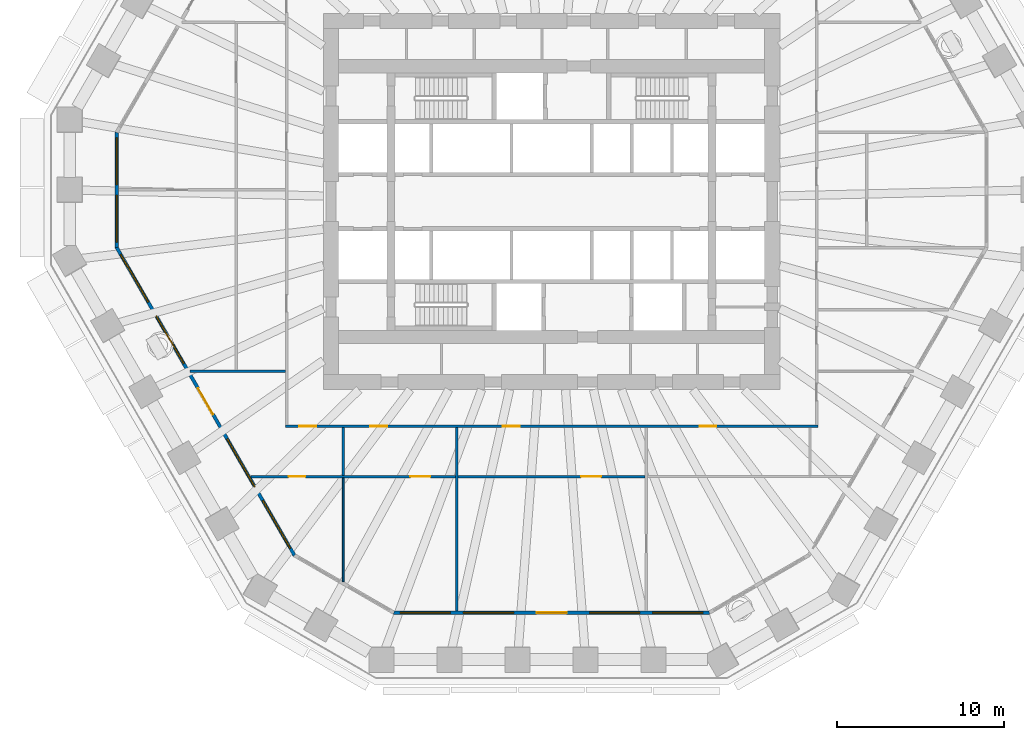
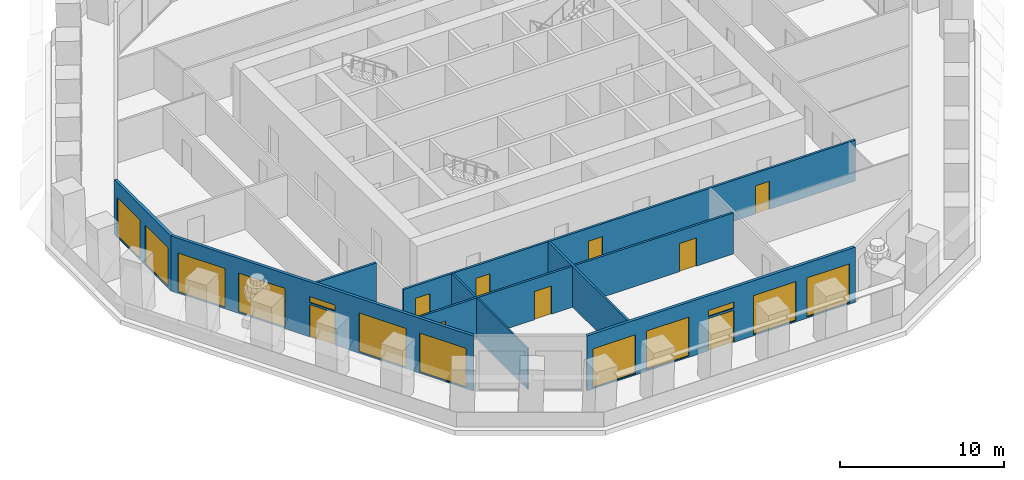
# One storey, part 3 of 13: 12 windows, 9 doors, 9 walls, 21 openings.
"""IFC4 building model written with IfcOpenShell, lengths in metres."""

from ifc_helpers import new_model, si_unit, direction, frame, frame_2d, origin, place, context, subcontext, project, spatial, polyline, rectangle, outline, extrude, material, layer, layer_set, type_object, element, fill, save


model = new_model("IFC4")

# Units and contexts
model_context = context("Model", 3, precision=1e-05, world=origin(), true_north=direction((0.0, 1.0)))
body_context = subcontext(model_context, "Body", "Model", "MODEL_VIEW")
ifc_project = project(units=[si_unit("LENGTHUNIT", "METRE"), si_unit("AREAUNIT", "SQUARE_METRE"), si_unit("VOLUMEUNIT", "CUBIC_METRE"), si_unit("PLANEANGLEUNIT", "RADIAN"), si_unit("MASSUNIT", "GRAM", prefix="KILO")], contexts=[model_context])

# Site, building, storey
site_placement = place(None, origin())
site = spatial("IfcSite", under=ifc_project, at=site_placement, CompositionType="ELEMENT")
building_placement = place(site_placement, origin())
building = spatial("IfcBuilding", under=site, at=building_placement, Name="Frailejon Research Tower", CompositionType="ELEMENT")
storey_placement = place(building_placement, frame((0.0, 0.0, 36.60009765625)))
storey = spatial("IfcBuildingStorey", under=building, at=storey_placement, Name="L08", CompositionType="ELEMENT", Elevation=36.60009765625)

# Wall, openings, doors
ifc_material_1 = material(Name="Gypsum board and masonry partition", Category="masonry")
ifc_layer_1 = layer(ifc_material_1, 0.14990234375)
ifc_layer_set_1 = layer_set([ifc_layer_1], Name="Corridor wall EI 60, gypsum on steel studs 150")
wall_type_1 = type_object("IfcWallType", Name="Corridor wall EI 60, gypsum on steel studs 150", PredefinedType="PARTITIONING", material=ifc_layer_set_1)
wall_1_placement = place(storey_placement, frame((-15.925048828125, -13.449951171875, 0.0), z_axis=(0.0, 0.0, 1.0), x_axis=(1.0, 0.0, 0.0)))
wall_1 = element("IfcWall", 1, at=wall_1_placement, inside=storey, type_object=wall_type_1, Name="T:IW:L08:004", PredefinedType="PARTITIONING", context=body_context, shape_type="SweptSolid", body=[
    extrude(rectangle(XDim=31.85009765625, YDim=0.14990234375, at=frame_2d((15.925048828125, 0.0))), origin(), (0.0, 0.0, 1.0), 3.0498046875),
])
opening_1_placement = place(wall_1_placement, frame((0.84814453125, 0.0, 0.0)))
opening_1 = element("IfcOpeningElement", 2, at=opening_1_placement, cuts=wall_1, Name="Opening D1361", PredefinedType="OPENING", context=body_context, shape_type="SweptSolid", body=[
    extrude(rectangle(XDim=1.0, YDim=2.10009765625, at=frame_2d((0.5, 1.050048828125))), frame((0.0, 0.0849609375, 0.0), z_axis=(0.0, -1.0, 0.0), x_axis=(1.0, 0.0, 0.0)), (0.0, 0.0, 1.0), 0.169921875),
])
opening_2_placement = place(wall_1_placement, frame((5.08837890625, 0.0, 0.0)))
opening_2 = element("IfcOpeningElement", 3, at=opening_2_placement, cuts=wall_1, Name="Opening D1363", PredefinedType="OPENING", context=body_context, shape_type="SweptSolid", body=[
    extrude(rectangle(XDim=1.0, YDim=2.10009765625, at=frame_2d((0.5, 1.050048828125))), frame((0.0, 0.0849609375, 0.0), z_axis=(0.0, -1.0, 0.0), x_axis=(1.0, 0.0, 0.0)), (0.0, 0.0, 1.0), 0.169921875),
])
opening_3_placement = place(wall_1_placement, frame((13.0126953125, 0.0, 0.0)))
opening_3 = element("IfcOpeningElement", 4, at=opening_3_placement, cuts=wall_1, Name="Opening D1365", PredefinedType="OPENING", context=body_context, shape_type="SweptSolid", body=[
    extrude(rectangle(XDim=1.0, YDim=2.10009765625, at=frame_2d((0.5, 1.050048828125))), frame((0.0, 0.0849609375, 0.0), z_axis=(0.0, -1.0, 0.0), x_axis=(1.0, 0.0, 0.0)), (0.0, 0.0, 1.0), 0.169921875),
])
opening_4_placement = place(wall_1_placement, frame((24.7783203125, 0.0, 0.0)))
opening_4 = element("IfcOpeningElement", 5, at=opening_4_placement, cuts=wall_1, Name="Opening D1368", PredefinedType="OPENING", context=body_context, shape_type="SweptSolid", body=[
    extrude(rectangle(XDim=1.0, YDim=2.10009765625, at=frame_2d((0.5, 1.050048828125))), frame((0.0, 0.0849609375, 0.0), z_axis=(0.0, -1.0, 0.0), x_axis=(1.0, 0.0, 0.0)), (0.0, 0.0, 1.0), 0.169921875),
])
ifc_material_2 = material(Name="Timber door leaf", Category="wood")
door_type_1 = type_object("IfcDoorType", Name="Door laboratory, timber, vision panel 1000", OperationType="NOTDEFINED", PredefinedType="DOOR", material=ifc_material_2)
door_1_placement = place(opening_1_placement, origin())
door_1 = element("IfcDoor", 6, at=door_1_placement, inside=storey, type_object=door_type_1, Name="D1361", OperationType="SINGLE_SWING_RIGHT", OverallHeight=2.10009765625, OverallWidth=1.0, PredefinedType="DOOR", context=body_context, shape_type="SweptSolid", body=[
    extrude(rectangle(XDim=1.0, YDim=2.10009765625, at=frame_2d((0.5, 1.050048828125))), frame((0.0, 0.02490234375, 0.0), z_axis=(0.0, -1.0, 0.0), x_axis=(1.0, 0.0, 0.0)), (0.0, 0.0, 1.0), 0.050048828125),
])
fill(opening_1, door_1)
door_2_placement = place(opening_2_placement, origin())
door_2 = element("IfcDoor", 7, at=door_2_placement, inside=storey, type_object=door_type_1, Name="D1363", OperationType="SINGLE_SWING_RIGHT", OverallHeight=2.10009765625, OverallWidth=1.0, PredefinedType="DOOR", context=body_context, shape_type="SweptSolid", body=[
    extrude(rectangle(XDim=1.0, YDim=2.10009765625, at=frame_2d((0.5, 1.050048828125))), frame((0.0, 0.02490234375, 0.0), z_axis=(0.0, -1.0, 0.0), x_axis=(1.0, 0.0, 0.0)), (0.0, 0.0, 1.0), 0.050048828125),
])
fill(opening_2, door_2)
door_3_placement = place(opening_3_placement, origin())
door_3 = element("IfcDoor", 8, at=door_3_placement, inside=storey, type_object=door_type_1, Name="D1365", OperationType="SINGLE_SWING_RIGHT", OverallHeight=2.10009765625, OverallWidth=1.0, PredefinedType="DOOR", context=body_context, shape_type="SweptSolid", body=[
    extrude(rectangle(XDim=1.0, YDim=2.10009765625, at=frame_2d((0.5, 1.050048828125))), frame((0.0, 0.02490234375, 0.0), z_axis=(0.0, -1.0, 0.0), x_axis=(1.0, 0.0, 0.0)), (0.0, 0.0, 1.0), 0.050048828125),
])
fill(opening_3, door_3)
ifc_material_3 = material(Name="Timber door leaf", Category="wood")
door_type_2 = type_object("IfcDoorType", Name="Door single leaf, timber, steel frame 1000", OperationType="NOTDEFINED", PredefinedType="DOOR", material=ifc_material_3)
door_4_placement = place(opening_4_placement, origin())
door_4 = element("IfcDoor", 9, at=door_4_placement, inside=storey, type_object=door_type_2, Name="D1368", OperationType="SINGLE_SWING_LEFT", OverallHeight=2.10009765625, OverallWidth=1.0, PredefinedType="DOOR", context=body_context, shape_type="SweptSolid", body=[
    extrude(rectangle(XDim=1.0, YDim=2.10009765625, at=frame_2d((0.5, 1.050048828125))), frame((0.0, 0.02490234375, 0.0), z_axis=(0.0, -1.0, 0.0), x_axis=(1.0, 0.0, 0.0)), (0.0, 0.0, 1.0), 0.050048828125),
])
fill(opening_4, door_4)

# Wall
ifc_material_4 = material(Name="Gypsum board and masonry partition", Category="masonry")
ifc_layer_2 = layer(ifc_material_4, 0.14990234375)
ifc_layer_set_2 = layer_set([ifc_layer_2], Name="Laboratory partition, blockwork 150")
wall_type_2 = type_object("IfcWallType", Name="Laboratory partition, blockwork 150", PredefinedType="PARTITIONING", material=ifc_layer_set_2)
wall_2_placement = place(storey_placement, frame((-21.619140625, -10.154541015625, 0.0), z_axis=(0.0, 0.0, 1.0), x_axis=(1.0, 0.0, 0.0)))
element("IfcWall", 10, at=wall_2_placement, inside=storey, type_object=wall_type_2, Name="T:IW:L08:018", PredefinedType="PARTITIONING", context=body_context, shape_type="SweptSolid", body=[
    extrude(rectangle(XDim=5.694091796875, YDim=0.14990234375, at=frame_2d((2.84716796875, 0.0))), origin(), (0.0, 0.0, 1.0), 3.0498046875),
])

# Wall, openings, doors
wall_3_placement = place(storey_placement, frame((-17.984619140625, -16.449951171875, 0.0), z_axis=(0.0, 0.0, 1.0), x_axis=(1.0, 0.0, 0.0)))
wall_3 = element("IfcWall", 11, at=wall_3_placement, inside=storey, type_object=wall_type_2, Name="T:IW:L08:019", PredefinedType="PARTITIONING", context=body_context, shape_type="SweptSolid", body=[
    extrude(rectangle(XDim=23.583984375, YDim=0.14990234375, at=frame_2d((11.7919921875, 0.0))), origin(), (0.0, 0.0, 1.0), 3.0498046875),
])
opening_5_placement = place(wall_3_placement, frame((2.263671875, 0.0, 0.0)))
opening_5 = element("IfcOpeningElement", 12, at=opening_5_placement, cuts=wall_3, Name="Opening D1362", PredefinedType="OPENING", context=body_context, shape_type="SweptSolid", body=[
    extrude(rectangle(XDim=1.0, YDim=2.10009765625, at=frame_2d((0.5, 1.050048828125))), frame((0.0, 0.0849609375, 0.0), z_axis=(0.0, -1.0, 0.0), x_axis=(1.0, 0.0, 0.0)), (0.0, 0.0, 1.0), 0.169921875),
])
opening_6_placement = place(wall_3_placement, frame((9.539306640625, 0.0, 0.0)))
opening_6 = element("IfcOpeningElement", 13, at=opening_6_placement, cuts=wall_3, Name="Opening D1364", PredefinedType="OPENING", context=body_context, shape_type="SweptSolid", body=[
    extrude(rectangle(XDim=1.199951171875, YDim=2.10009765625, at=frame_2d((0.60009765625, 1.050048828125))), frame((0.0, 0.0849609375, 0.0), z_axis=(0.0, -1.0, 0.0), x_axis=(1.0, 0.0, 0.0)), (0.0, 0.0, 1.0), 0.169921875),
])
opening_7_placement = place(wall_3_placement, frame((19.74658203125, 0.0, 0.0)))
opening_7 = element("IfcOpeningElement", 14, at=opening_7_placement, cuts=wall_3, Name="Opening D1366", PredefinedType="OPENING", context=body_context, shape_type="SweptSolid", body=[
    extrude(rectangle(XDim=1.199951171875, YDim=2.10009765625, at=frame_2d((0.60009765625, 1.050048828125))), frame((0.0, 0.0849609375, 0.0), z_axis=(0.0, -1.0, 0.0), x_axis=(1.0, 0.0, 0.0)), (0.0, 0.0, 1.0), 0.169921875),
])
ifc_material_5 = material(Name="Timber door leaf", Category="wood")
door_type_3 = type_object("IfcDoorType", Name="Door laboratory, timber, vision panel 1200", OperationType="NOTDEFINED", PredefinedType="DOOR", material=ifc_material_5)
door_5_placement = place(opening_7_placement, origin())
door_5 = element("IfcDoor", 15, at=door_5_placement, inside=storey, type_object=door_type_3, Name="D1366", OperationType="DOUBLE_DOOR_SINGLE_SWING", OverallHeight=2.10009765625, OverallWidth=1.199951171875, PredefinedType="DOOR", context=body_context, shape_type="SweptSolid", body=[
    extrude(rectangle(XDim=1.199951171875, YDim=2.10009765625, at=frame_2d((0.60009765625, 1.050048828125))), frame((0.0, 0.02490234375, 0.0), z_axis=(0.0, -1.0, 0.0), x_axis=(1.0, 0.0, 0.0)), (0.0, 0.0, 1.0), 0.050048828125),
])
fill(opening_7, door_5)
door_6_placement = place(opening_5_placement, origin())
door_6 = element("IfcDoor", 16, at=door_6_placement, inside=storey, type_object=door_type_2, Name="D1362", OperationType="SINGLE_SWING_LEFT", OverallHeight=2.10009765625, OverallWidth=1.0, PredefinedType="DOOR", context=body_context, shape_type="SweptSolid", body=[
    extrude(rectangle(XDim=1.0, YDim=2.10009765625, at=frame_2d((0.5, 1.050048828125))), frame((0.0, 0.02490234375, 0.0), z_axis=(0.0, -1.0, 0.0), x_axis=(1.0, 0.0, 0.0)), (0.0, 0.0, 1.0), 0.050048828125),
])
fill(opening_5, door_6)
ifc_material_6 = material(Name="Timber door leaf", Category="wood")
door_type_4 = type_object("IfcDoorType", Name="Door single leaf, timber, steel frame 1200", OperationType="NOTDEFINED", PredefinedType="DOOR", material=ifc_material_6)
door_7_placement = place(opening_6_placement, origin())
door_7 = element("IfcDoor", 17, at=door_7_placement, inside=storey, type_object=door_type_4, Name="D1364", OperationType="DOUBLE_DOOR_SINGLE_SWING", OverallHeight=2.10009765625, OverallWidth=1.199951171875, PredefinedType="DOOR", context=body_context, shape_type="SweptSolid", body=[
    extrude(rectangle(XDim=1.199951171875, YDim=2.10009765625, at=frame_2d((0.60009765625, 1.050048828125))), frame((0.0, 0.02490234375, 0.0), z_axis=(0.0, -1.0, 0.0), x_axis=(1.0, 0.0, 0.0)), (0.0, 0.0, 1.0), 0.050048828125),
])
fill(opening_6, door_7)

# Walls
wall_4_placement = place(storey_placement, frame((-12.457275390625, -16.375, 0.0), z_axis=(0.0, 0.0, 1.0), x_axis=(0.0, 1.0, 0.0)))
element("IfcWall", 18, at=wall_4_placement, inside=storey, type_object=wall_type_2, Name="T:IW:L08:020", PredefinedType="PARTITIONING", context=body_context, shape_type="SweptSolid", body=[
    extrude(rectangle(XDim=2.85009765625, YDim=0.14990234375, at=frame_2d((1.425048828125, 0.0))), origin(), (0.0, 0.0, 1.0), 3.0498046875),
])
wall_5_placement = place(storey_placement, frame((-5.67431640625, -24.491455078125, 0.0), z_axis=(0.0, 0.0, 1.0), x_axis=(0.0, 1.0, 0.0)))
element("IfcWall", 19, at=wall_5_placement, inside=storey, type_object=wall_type_2, Name="T:IW:L08:021", PredefinedType="PARTITIONING", context=body_context, shape_type="SweptSolid", body=[
    extrude(rectangle(XDim=10.966552734375, YDim=0.14990234375, at=frame_2d((5.4833984375, 0.0))), origin(), (0.0, 0.0, 1.0), 3.0498046875),
])
ifc_material_7 = material(Name="Gypsum board and masonry partition", Category="masonry")
ifc_layer_3 = layer(ifc_material_7, 0.10009765625)
ifc_layer_set_3 = layer_set([ifc_layer_3], Name="Partition, gypsum on steel studs 100")
wall_type_3 = type_object("IfcWallType", Name="Partition, gypsum on steel studs 100", PredefinedType="PARTITIONING", material=ifc_layer_set_3)
wall_6_placement = place(storey_placement, frame((-12.457275390625, -22.728515625, 0.0), z_axis=(0.0, 0.0, 1.0), x_axis=(0.0, 1.0, 0.0)))
element("IfcWall", 20, at=wall_6_placement, inside=storey, type_object=wall_type_3, Name="T:IW:L08:029", PredefinedType="PARTITIONING", context=body_context, shape_type="SweptSolid", body=[
    extrude(rectangle(XDim=6.20361328125, YDim=0.10009765625, at=frame_2d((3.101806640625, 0.0))), origin(), (0.0, 0.0, 1.0), 3.0498046875),
])

# Wall, openings, windows
ifc_material_8 = material(Name="Concrete C40/50 precast window wall panel", Category="concrete")
ifc_layer_4 = layer(ifc_material_8, 0.199951171875)
ifc_layer_set_4 = layer_set([ifc_layer_4], Name="Window wall 200")
wall_type_4 = type_object("IfcWallType", Name="Window wall 200", PredefinedType="SOLIDWALL", material=ifc_layer_set_4)
wall_7_placement = place(storey_placement, frame((-26.011962890625, 4.128662109375, 0.0), z_axis=(0.0, 0.0, 1.0), x_axis=(0.0, -1.0, 0.0)))
wall_7 = element("IfcWall", 21, at=wall_7_placement, inside=storey, type_object=wall_type_4, Name="Exterior wall L08", PredefinedType="SOLIDWALL", context=body_context, shape_type="SweptSolid", body=[
    extrude(outline(polyline([(-0.02685546875, -0.10009765625), (1.1279296875, -0.10009765625), (2.282470703125, -0.10009765625), (3.437255859375, -0.10009765625), (4.592041015625, -0.10009765625), (5.74658203125, -0.10009765625), (6.9013671875, -0.10009765625), (6.84765625, 0.10009765625), (5.7109375, 0.10009765625), (4.573974609375, 0.10009765625), (3.437255859375, 0.10009765625), (2.300537109375, 0.10009765625), (1.16357421875, 0.10009765625), (0.02685546875, 0.10009765625), (-0.02685546875, -0.10009765625)])), origin(), (0.0, 0.0, 1.0), 4.099853515625),
])
opening_8_placement = place(wall_7_placement, frame((0.318603515625, 0.0, 0.10009765625)))
opening_8 = element("IfcOpeningElement", 22, at=opening_8_placement, cuts=wall_7, Name="Opening W3", PredefinedType="OPENING", context=body_context, shape_type="SweptSolid", body=[
    extrude(rectangle(XDim=2.800048828125, YDim=2.89990234375, at=frame_2d((1.39990234375, 1.449951171875))), frame((0.0, 0.10986328125, 0.0), z_axis=(0.0, -1.0, 0.0), x_axis=(1.0, 0.0, 0.0)), (0.0, 0.0, 1.0), 0.219970703125),
])
opening_9_placement = place(wall_7_placement, frame((3.756103515625, 0.0, 0.10009765625)))
opening_9 = element("IfcOpeningElement", 23, at=opening_9_placement, cuts=wall_7, Name="Opening W3", PredefinedType="OPENING", context=body_context, shape_type="SweptSolid", body=[
    extrude(rectangle(XDim=2.800048828125, YDim=2.89990234375, at=frame_2d((1.39990234375, 1.449951171875))), frame((0.0, 0.10986328125, 0.0), z_axis=(0.0, -1.0, 0.0), x_axis=(1.0, 0.0, 0.0)), (0.0, 0.0, 1.0), 0.219970703125),
])
ifc_material_9 = material(Name="Aluminium framed double glazing", Category="aluminium")
window_type_1 = type_object("IfcWindowType", Name="Window 2800x2900", PartitioningType="SINGLE_PANEL", PredefinedType="WINDOW", material=ifc_material_9)
window_1_placement = place(opening_8_placement, origin())
window_1 = element("IfcWindow", 24, at=window_1_placement, inside=storey, type_object=window_type_1, Name="Window L08", OverallHeight=2.89990234375, OverallWidth=2.800048828125, PartitioningType="SINGLE_PANEL", PredefinedType="WINDOW", context=body_context, shape_type="SweptSolid", body=[
    extrude(rectangle(XDim=2.800048828125, YDim=2.89990234375, at=frame_2d((1.39990234375, 1.449951171875))), frame((0.0, 0.030029296875, 0.0), z_axis=(0.0, -1.0, 0.0), x_axis=(1.0, 0.0, 0.0)), (0.0, 0.0, 1.0), 0.06005859375),
])
fill(opening_8, window_1)
window_2_placement = place(opening_9_placement, origin())
window_2 = element("IfcWindow", 25, at=window_2_placement, inside=storey, type_object=window_type_1, Name="Window L08", OverallHeight=2.89990234375, OverallWidth=2.800048828125, PartitioningType="SINGLE_PANEL", PredefinedType="WINDOW", context=body_context, shape_type="SweptSolid", body=[
    extrude(rectangle(XDim=2.800048828125, YDim=2.89990234375, at=frame_2d((1.39990234375, 1.449951171875))), frame((0.0, 0.030029296875, 0.0), z_axis=(0.0, -1.0, 0.0), x_axis=(1.0, 0.0, 0.0)), (0.0, 0.0, 1.0), 0.06005859375),
])
fill(opening_9, window_2)

# Wall, openings, door, windows
wall_8_placement = place(storey_placement, frame((-26.011962890625, -2.745849609375, 0.0), z_axis=(0.0, 0.0, 1.0), x_axis=(0.499998188434, -0.86602644969, 0.0)))
wall_8 = element("IfcWall", 26, at=wall_8_placement, inside=storey, type_object=wall_type_4, Name="Exterior wall L08", PredefinedType="SOLIDWALL", context=body_context, shape_type="SweptSolid", body=[
    extrude(outline(polyline([(-0.02685546875, -0.10009765625), (0.98779296875, -0.10009765625), (2.002685546875, -0.10009765625), (3.017333984375, -0.10009765625), (4.0322265625, -0.10009765625), (5.046875, -0.10009765625), (6.0615234375, -0.10009765625), (7.076416015625, -0.10009765625), (8.091064453125, -0.10009765625), (9.105712890625, -0.10009765625), (10.12060546875, -0.10009765625), (11.13525390625, -0.10009765625), (12.150146484375, -0.10009765625), (13.164794921875, -0.10009765625), (14.179443359375, -0.10009765625), (15.1943359375, -0.10009765625), (16.208984375, -0.10009765625), (17.2236328125, -0.10009765625), (18.238525390625, -0.10009765625), (19.253173828125, -0.10009765625), (20.26806640625, -0.10009765625), (21.28271484375, -0.10009765625), (21.22900390625, 0.10009765625), (20.219482421875, 0.10009765625), (19.209716796875, 0.10009765625), (18.2001953125, 0.10009765625), (17.1904296875, 0.10009765625), (16.180908203125, 0.10009765625), (15.171142578125, 0.10009765625), (14.16162109375, 0.10009765625), (13.152099609375, 0.10009765625), (12.142333984375, 0.10009765625), (11.1328125, 0.10009765625), (10.123046875, 0.10009765625), (9.113525390625, 0.10009765625), (8.103759765625, 0.10009765625), (7.09423828125, 0.10009765625), (6.084716796875, 0.10009765625), (5.074951171875, 0.10009765625), (4.0654296875, 0.10009765625), (3.0556640625, 0.10009765625), (2.046142578125, 0.10009765625), (1.036376953125, 0.10009765625), (0.02685546875, 0.10009765625), (-0.02685546875, -0.10009765625)])), origin(), (0.0, 0.0, 1.0), 4.099853515625),
])
opening_10_placement = place(wall_8_placement, frame((0.4755859375, 0.0, 0.10009765625)))
opening_10 = element("IfcOpeningElement", 27, at=opening_10_placement, cuts=wall_8, Name="Opening W5", PredefinedType="OPENING", context=body_context, shape_type="SweptSolid", body=[
    extrude(rectangle(XDim=3.300048828125, YDim=2.89990234375, at=frame_2d((1.64990234375, 1.449951171875))), frame((0.0, 0.10986328125, 0.0), z_axis=(0.0, -1.0, 0.0), x_axis=(1.0, 0.0, 0.0)), (0.0, 0.0, 1.0), 0.219970703125),
])
opening_11_placement = place(wall_8_placement, frame((4.726806640625, 0.0, 0.10009765625)))
opening_11 = element("IfcOpeningElement", 28, at=opening_11_placement, cuts=wall_8, Name="Opening W5", PredefinedType="OPENING", context=body_context, shape_type="SweptSolid", body=[
    extrude(rectangle(XDim=3.300048828125, YDim=2.89990234375, at=frame_2d((1.64990234375, 1.449951171875))), frame((0.0, 0.10986328125, 0.0), z_axis=(0.0, -1.0, 0.0), x_axis=(1.0, 0.0, 0.0)), (0.0, 0.0, 1.0), 0.219970703125),
])
opening_12_placement = place(wall_8_placement, frame((9.727783203125, 0.0, 0.0)))
opening_12 = element("IfcOpeningElement", 29, at=opening_12_placement, cuts=wall_8, Name="Opening LG08-4", PredefinedType="OPENING", context=body_context, shape_type="SweptSolid", body=[
    extrude(rectangle(XDim=1.800048828125, YDim=2.39990234375, at=frame_2d((0.89990234375, 1.199951171875))), frame((0.0, 0.10986328125, 0.0), z_axis=(0.0, -1.0, 0.0), x_axis=(1.0, 0.0, 0.0)), (0.0, 0.0, 1.0), 0.219970703125),
])
opening_13_placement = place(wall_8_placement, frame((9.727783203125, 0.0, 2.550048828125)))
opening_13 = element("IfcOpeningElement", 30, at=opening_13_placement, cuts=wall_8, Name="Opening W1", PredefinedType="OPENING", context=body_context, shape_type="SweptSolid", body=[
    extrude(rectangle(XDim=1.800048828125, YDim=0.449951171875, at=frame_2d((0.89990234375, 0.22509765625))), frame((0.0, 0.10986328125, 0.0), z_axis=(0.0, -1.0, 0.0), x_axis=(1.0, 0.0, 0.0)), (0.0, 0.0, 1.0), 0.219970703125),
])
opening_14_placement = place(wall_8_placement, frame((13.22900390625, 0.0, 0.10009765625)))
opening_14 = element("IfcOpeningElement", 31, at=opening_14_placement, cuts=wall_8, Name="Opening W5", PredefinedType="OPENING", context=body_context, shape_type="SweptSolid", body=[
    extrude(rectangle(XDim=3.300048828125, YDim=2.89990234375, at=frame_2d((1.64990234375, 1.449951171875))), frame((0.0, 0.10986328125, 0.0), z_axis=(0.0, -1.0, 0.0), x_axis=(1.0, 0.0, 0.0)), (0.0, 0.0, 1.0), 0.219970703125),
])
opening_15_placement = place(wall_8_placement, frame((17.480224609375, 0.0, 0.10009765625)))
opening_15 = element("IfcOpeningElement", 32, at=opening_15_placement, cuts=wall_8, Name="Opening W5", PredefinedType="OPENING", context=body_context, shape_type="SweptSolid", body=[
    extrude(rectangle(XDim=3.300048828125, YDim=2.89990234375, at=frame_2d((1.64990234375, 1.449951171875))), frame((0.0, 0.10986328125, 0.0), z_axis=(0.0, -1.0, 0.0), x_axis=(1.0, 0.0, 0.0)), (0.0, 0.0, 1.0), 0.219970703125),
])
ifc_material_10 = material(Name="Aluminium framed glazed door leaf", Category="aluminium")
door_type_5 = type_object("IfcDoorType", Name="Loggia door 1800x2400", OperationType="DOUBLE_DOOR_SINGLE_SWING", PredefinedType="DOOR", material=ifc_material_10)
door_8_placement = place(opening_12_placement, origin())
door_8 = element("IfcDoor", 33, at=door_8_placement, inside=storey, type_object=door_type_5, Name="Door LG08-4", OperationType="DOUBLE_DOOR_SINGLE_SWING", OverallHeight=2.39990234375, OverallWidth=1.800048828125, PredefinedType="DOOR", context=body_context, shape_type="SweptSolid", body=[
    extrude(rectangle(XDim=1.800048828125, YDim=2.39990234375, at=frame_2d((0.89990234375, 1.199951171875))), frame((0.0, 0.02490234375, 0.0), z_axis=(0.0, -1.0, 0.0), x_axis=(1.0, 0.0, 0.0)), (0.0, 0.0, 1.0), 0.050048828125),
])
fill(opening_12, door_8)
ifc_material_11 = material(Name="Aluminium framed double glazing", Category="aluminium")
window_type_2 = type_object("IfcWindowType", Name="Window 1800x450", PartitioningType="SINGLE_PANEL", PredefinedType="WINDOW", material=ifc_material_11)
window_3_placement = place(opening_13_placement, origin())
window_3 = element("IfcWindow", 34, at=window_3_placement, inside=storey, type_object=window_type_2, Name="Window L08", OverallHeight=0.449951171875, OverallWidth=1.800048828125, PartitioningType="SINGLE_PANEL", PredefinedType="WINDOW", context=body_context, shape_type="SweptSolid", body=[
    extrude(rectangle(XDim=1.800048828125, YDim=0.449951171875, at=frame_2d((0.89990234375, 0.22509765625))), frame((0.0, 0.030029296875, 0.0), z_axis=(0.0, -1.0, 0.0), x_axis=(1.0, 0.0, 0.0)), (0.0, 0.0, 1.0), 0.06005859375),
])
fill(opening_13, window_3)
ifc_material_12 = material(Name="Aluminium framed double glazing", Category="aluminium")
window_type_3 = type_object("IfcWindowType", Name="Window 3300x2900", PartitioningType="SINGLE_PANEL", PredefinedType="WINDOW", material=ifc_material_12)
window_4_placement = place(opening_10_placement, origin())
window_4 = element("IfcWindow", 35, at=window_4_placement, inside=storey, type_object=window_type_3, Name="Window L08", OverallHeight=2.89990234375, OverallWidth=3.300048828125, PartitioningType="SINGLE_PANEL", PredefinedType="WINDOW", context=body_context, shape_type="SweptSolid", body=[
    extrude(rectangle(XDim=3.300048828125, YDim=2.89990234375, at=frame_2d((1.64990234375, 1.449951171875))), frame((0.0, 0.030029296875, 0.0), z_axis=(0.0, -1.0, 0.0), x_axis=(1.0, 0.0, 0.0)), (0.0, 0.0, 1.0), 0.06005859375),
])
fill(opening_10, window_4)
window_5_placement = place(opening_11_placement, origin())
window_5 = element("IfcWindow", 36, at=window_5_placement, inside=storey, type_object=window_type_3, Name="Window L08", OverallHeight=2.89990234375, OverallWidth=3.300048828125, PartitioningType="SINGLE_PANEL", PredefinedType="WINDOW", context=body_context, shape_type="SweptSolid", body=[
    extrude(rectangle(XDim=3.300048828125, YDim=2.89990234375, at=frame_2d((1.64990234375, 1.449951171875))), frame((0.0, 0.030029296875, 0.0), z_axis=(0.0, -1.0, 0.0), x_axis=(1.0, 0.0, 0.0)), (0.0, 0.0, 1.0), 0.06005859375),
])
fill(opening_11, window_5)
window_6_placement = place(opening_14_placement, origin())
window_6 = element("IfcWindow", 37, at=window_6_placement, inside=storey, type_object=window_type_3, Name="Window L08", OverallHeight=2.89990234375, OverallWidth=3.300048828125, PartitioningType="SINGLE_PANEL", PredefinedType="WINDOW", context=body_context, shape_type="SweptSolid", body=[
    extrude(rectangle(XDim=3.300048828125, YDim=2.89990234375, at=frame_2d((1.64990234375, 1.449951171875))), frame((0.0, 0.030029296875, 0.0), z_axis=(0.0, -1.0, 0.0), x_axis=(1.0, 0.0, 0.0)), (0.0, 0.0, 1.0), 0.06005859375),
])
fill(opening_14, window_6)
window_7_placement = place(opening_15_placement, origin())
window_7 = element("IfcWindow", 38, at=window_7_placement, inside=storey, type_object=window_type_3, Name="Window L08", OverallHeight=2.89990234375, OverallWidth=3.300048828125, PartitioningType="SINGLE_PANEL", PredefinedType="WINDOW", context=body_context, shape_type="SweptSolid", body=[
    extrude(rectangle(XDim=3.300048828125, YDim=2.89990234375, at=frame_2d((1.64990234375, 1.449951171875))), frame((0.0, 0.030029296875, 0.0), z_axis=(0.0, -1.0, 0.0), x_axis=(1.0, 0.0, 0.0)), (0.0, 0.0, 1.0), 0.06005859375),
])
fill(opening_15, window_7)

wall_9_placement = place(storey_placement, frame((-9.430419921875, -24.59130859375, 0.0), z_axis=(0.0, 0.0, 1.0), x_axis=(1.0, 0.0, 0.0)))
wall_9 = element("IfcWall", 39, at=wall_9_placement, inside=storey, type_object=wall_type_4, Name="Exterior wall L08", PredefinedType="SOLIDWALL", context=body_context, shape_type="SweptSolid", body=[
    extrude(outline(polyline([(-0.02685546875, -0.10009765625), (1.02392578125, -0.10009765625), (2.07470703125, -0.10009765625), (3.12548828125, -0.10009765625), (4.17626953125, -0.10009765625), (5.227294921875, -0.10009765625), (6.278076171875, -0.10009765625), (7.328857421875, -0.10009765625), (8.379638671875, -0.10009765625), (9.430419921875, -0.10009765625), (10.481201171875, -0.10009765625), (11.531982421875, -0.10009765625), (12.582763671875, -0.10009765625), (13.633544921875, -0.10009765625), (14.6845703125, -0.10009765625), (15.7353515625, -0.10009765625), (16.7861328125, -0.10009765625), (17.8369140625, -0.10009765625), (18.8876953125, -0.10009765625), (18.833984375, 0.10009765625), (17.7890625, 0.10009765625), (16.744384765625, 0.10009765625), (15.699462890625, 0.10009765625), (14.654541015625, 0.10009765625), (13.60986328125, 0.10009765625), (12.56494140625, 0.10009765625), (11.52001953125, 0.10009765625), (10.475341796875, 0.10009765625), (9.430419921875, 0.10009765625), (8.385498046875, 0.10009765625), (7.3408203125, 0.10009765625), (6.2958984375, 0.10009765625), (5.2509765625, 0.10009765625), (4.206298828125, 0.10009765625), (3.161376953125, 0.10009765625), (2.116455078125, 0.10009765625), (1.07177734375, 0.10009765625), (0.02685546875, 0.10009765625), (-0.02685546875, -0.10009765625)])), origin(), (0.0, 0.0, 1.0), 4.099853515625),
])
opening_16_placement = place(wall_9_placement, frame((0.385986328125, 0.0, 0.10009765625)))
opening_16 = element("IfcOpeningElement", 40, at=opening_16_placement, cuts=wall_9, Name="Opening W4", PredefinedType="OPENING", context=body_context, shape_type="SweptSolid", body=[
    extrude(rectangle(XDim=3.0, YDim=2.89990234375, at=frame_2d((1.5, 1.449951171875))), frame((0.0, 0.10986328125, 0.0), z_axis=(0.0, -1.0, 0.0), x_axis=(1.0, 0.0, 0.0)), (0.0, 0.0, 1.0), 0.219970703125),
])
opening_17_placement = place(wall_9_placement, frame((4.158203125, 0.0, 0.10009765625)))
opening_17 = element("IfcOpeningElement", 41, at=opening_17_placement, cuts=wall_9, Name="Opening W4", PredefinedType="OPENING", context=body_context, shape_type="SweptSolid", body=[
    extrude(rectangle(XDim=3.0, YDim=2.89990234375, at=frame_2d((1.5, 1.449951171875))), frame((0.0, 0.10986328125, 0.0), z_axis=(0.0, -1.0, 0.0), x_axis=(1.0, 0.0, 0.0)), (0.0, 0.0, 1.0), 0.219970703125),
])
opening_18_placement = place(wall_9_placement, frame((8.530517578125, 0.0, 0.0)))
opening_18 = element("IfcOpeningElement", 42, at=opening_18_placement, cuts=wall_9, Name="Opening LG08-5", PredefinedType="OPENING", context=body_context, shape_type="SweptSolid", body=[
    extrude(rectangle(XDim=1.800048828125, YDim=2.39990234375, at=frame_2d((0.89990234375, 1.199951171875))), frame((0.0, 0.10986328125, 0.0), z_axis=(0.0, -1.0, 0.0), x_axis=(1.0, 0.0, 0.0)), (0.0, 0.0, 1.0), 0.219970703125),
])
opening_19_placement = place(wall_9_placement, frame((8.530517578125, 0.0, 2.550048828125)))
opening_19 = element("IfcOpeningElement", 43, at=opening_19_placement, cuts=wall_9, Name="Opening W1", PredefinedType="OPENING", context=body_context, shape_type="SweptSolid", body=[
    extrude(rectangle(XDim=1.800048828125, YDim=0.449951171875, at=frame_2d((0.89990234375, 0.22509765625))), frame((0.0, 0.10986328125, 0.0), z_axis=(0.0, -1.0, 0.0), x_axis=(1.0, 0.0, 0.0)), (0.0, 0.0, 1.0), 0.219970703125),
])
opening_20_placement = place(wall_9_placement, frame((11.70263671875, 0.0, 0.10009765625)))
opening_20 = element("IfcOpeningElement", 44, at=opening_20_placement, cuts=wall_9, Name="Opening W4", PredefinedType="OPENING", context=body_context, shape_type="SweptSolid", body=[
    extrude(rectangle(XDim=3.0, YDim=2.89990234375, at=frame_2d((1.5, 1.449951171875))), frame((0.0, 0.10986328125, 0.0), z_axis=(0.0, -1.0, 0.0), x_axis=(1.0, 0.0, 0.0)), (0.0, 0.0, 1.0), 0.219970703125),
])
opening_21_placement = place(wall_9_placement, frame((15.474853515625, 0.0, 0.10009765625)))
opening_21 = element("IfcOpeningElement", 45, at=opening_21_placement, cuts=wall_9, Name="Opening W4", PredefinedType="OPENING", context=body_context, shape_type="SweptSolid", body=[
    extrude(rectangle(XDim=3.0, YDim=2.89990234375, at=frame_2d((1.5, 1.449951171875))), frame((0.0, 0.10986328125, 0.0), z_axis=(0.0, -1.0, 0.0), x_axis=(1.0, 0.0, 0.0)), (0.0, 0.0, 1.0), 0.219970703125),
])
door_9_placement = place(opening_18_placement, origin())
door_9 = element("IfcDoor", 46, at=door_9_placement, inside=storey, type_object=door_type_5, Name="Door LG08-5", OperationType="DOUBLE_DOOR_SINGLE_SWING", OverallHeight=2.39990234375, OverallWidth=1.800048828125, PredefinedType="DOOR", context=body_context, shape_type="SweptSolid", body=[
    extrude(rectangle(XDim=1.800048828125, YDim=2.39990234375, at=frame_2d((0.89990234375, 1.199951171875))), frame((0.0, 0.02490234375, 0.0), z_axis=(0.0, -1.0, 0.0), x_axis=(1.0, 0.0, 0.0)), (0.0, 0.0, 1.0), 0.050048828125),
])
fill(opening_18, door_9)
window_8_placement = place(opening_19_placement, origin())
window_8 = element("IfcWindow", 47, at=window_8_placement, inside=storey, type_object=window_type_2, Name="Window L08", OverallHeight=0.449951171875, OverallWidth=1.800048828125, PartitioningType="SINGLE_PANEL", PredefinedType="WINDOW", context=body_context, shape_type="SweptSolid", body=[
    extrude(rectangle(XDim=1.800048828125, YDim=0.449951171875, at=frame_2d((0.89990234375, 0.22509765625))), frame((0.0, 0.030029296875, 0.0), z_axis=(0.0, -1.0, 0.0), x_axis=(1.0, 0.0, 0.0)), (0.0, 0.0, 1.0), 0.06005859375),
])
fill(opening_19, window_8)
ifc_material_13 = material(Name="Aluminium framed double glazing", Category="aluminium")
window_type_4 = type_object("IfcWindowType", Name="Window 3000x2900", PartitioningType="SINGLE_PANEL", PredefinedType="WINDOW", material=ifc_material_13)
window_9_placement = place(opening_16_placement, origin())
window_9 = element("IfcWindow", 48, at=window_9_placement, inside=storey, type_object=window_type_4, Name="Window L08", OverallHeight=2.89990234375, OverallWidth=3.0, PartitioningType="SINGLE_PANEL", PredefinedType="WINDOW", context=body_context, shape_type="SweptSolid", body=[
    extrude(rectangle(XDim=3.0, YDim=2.89990234375, at=frame_2d((1.5, 1.449951171875))), frame((0.0, 0.030029296875, 0.0), z_axis=(0.0, -1.0, 0.0), x_axis=(1.0, 0.0, 0.0)), (0.0, 0.0, 1.0), 0.06005859375),
])
fill(opening_16, window_9)
window_10_placement = place(opening_17_placement, origin())
window_10 = element("IfcWindow", 49, at=window_10_placement, inside=storey, type_object=window_type_4, Name="Window L08", OverallHeight=2.89990234375, OverallWidth=3.0, PartitioningType="SINGLE_PANEL", PredefinedType="WINDOW", context=body_context, shape_type="SweptSolid", body=[
    extrude(rectangle(XDim=3.0, YDim=2.89990234375, at=frame_2d((1.5, 1.449951171875))), frame((0.0, 0.030029296875, 0.0), z_axis=(0.0, -1.0, 0.0), x_axis=(1.0, 0.0, 0.0)), (0.0, 0.0, 1.0), 0.06005859375),
])
fill(opening_17, window_10)
window_11_placement = place(opening_20_placement, origin())
window_11 = element("IfcWindow", 50, at=window_11_placement, inside=storey, type_object=window_type_4, Name="Window L08", OverallHeight=2.89990234375, OverallWidth=3.0, PartitioningType="SINGLE_PANEL", PredefinedType="WINDOW", context=body_context, shape_type="SweptSolid", body=[
    extrude(rectangle(XDim=3.0, YDim=2.89990234375, at=frame_2d((1.5, 1.449951171875))), frame((0.0, 0.030029296875, 0.0), z_axis=(0.0, -1.0, 0.0), x_axis=(1.0, 0.0, 0.0)), (0.0, 0.0, 1.0), 0.06005859375),
])
fill(opening_20, window_11)
window_12_placement = place(opening_21_placement, origin())
window_12 = element("IfcWindow", 51, at=window_12_placement, inside=storey, type_object=window_type_4, Name="Window L08", OverallHeight=2.89990234375, OverallWidth=3.0, PartitioningType="SINGLE_PANEL", PredefinedType="WINDOW", context=body_context, shape_type="SweptSolid", body=[
    extrude(rectangle(XDim=3.0, YDim=2.89990234375, at=frame_2d((1.5, 1.449951171875))), frame((0.0, 0.030029296875, 0.0), z_axis=(0.0, -1.0, 0.0), x_axis=(1.0, 0.0, 0.0)), (0.0, 0.0, 1.0), 0.06005859375),
])
fill(opening_21, window_12)

save(model, "model.ifc")
